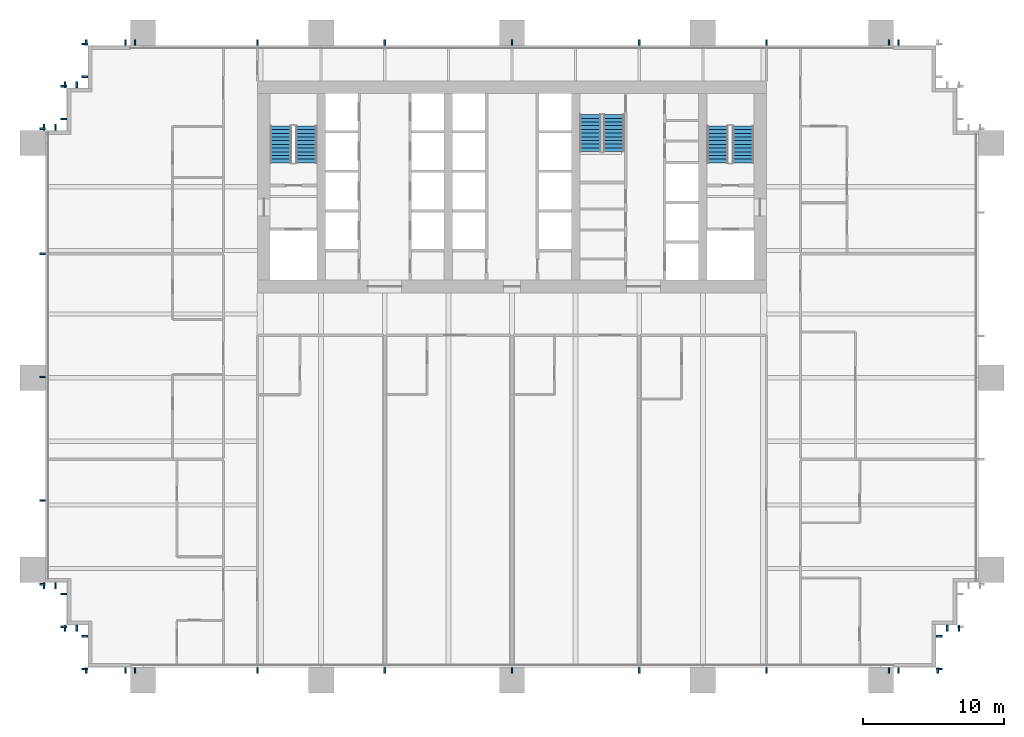
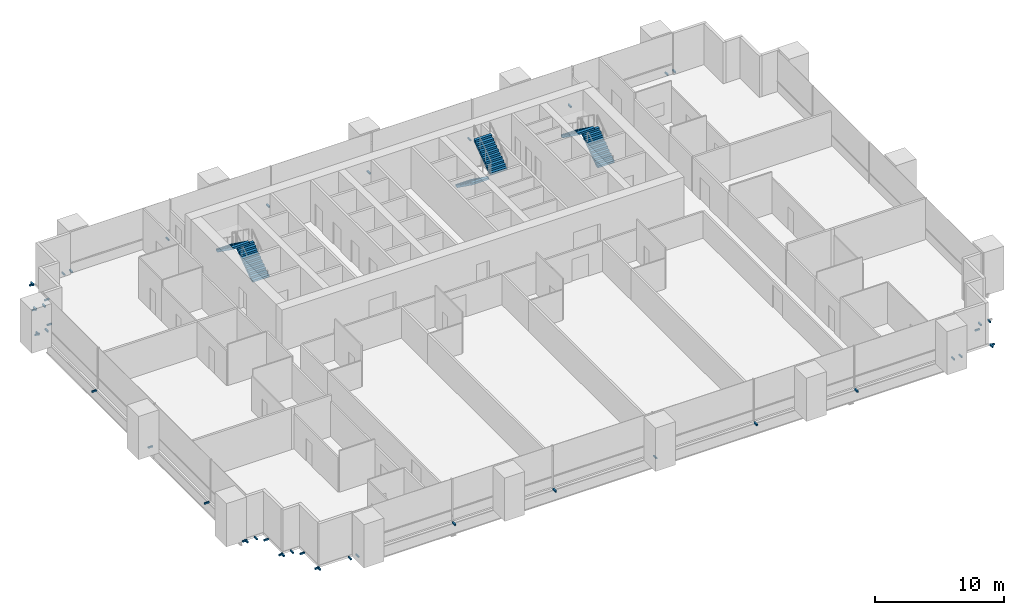
# One storey, part 15 of 17: 46 discrete accessories, 6 stair flights, 3 elements without a shape of their own.
"""IFC4 building model written with IfcOpenShell, lengths in metres."""

from ifc_helpers import new_model, si_unit, direction, frame, origin, origin_2d, place, context, subcontext, project, spatial, polyline, rectangle, outline, extrude, material, type_object, element, aggregate, save


model = new_model("IFC4")

# Units and contexts
model_context = context("Model", 3, precision=1e-05, world=origin(), true_north=direction((0.0, 1.0)))
body_context = subcontext(model_context, "Body", "Model", "MODEL_VIEW")
ifc_project = project(units=[si_unit("LENGTHUNIT", "METRE"), si_unit("AREAUNIT", "SQUARE_METRE"), si_unit("VOLUMEUNIT", "CUBIC_METRE"), si_unit("PLANEANGLEUNIT", "RADIAN"), si_unit("MASSUNIT", "GRAM", prefix="KILO")], contexts=[model_context])

# Site, building, storey
site_placement = place(None, origin())
site = spatial("IfcSite", under=ifc_project, at=site_placement, CompositionType="ELEMENT")
building_placement = place(site_placement, origin())
building = spatial("IfcBuilding", under=site, at=building_placement, Name="Rattan Terrace Tower", CompositionType="ELEMENT")
storey_placement = place(building_placement, frame((0.0, 0.0, 61.10009765625)))
storey = spatial("IfcBuildingStorey", under=building, at=storey_placement, Name="L13", CompositionType="ELEMENT", Elevation=61.10009765625)

# Stair, stair flights
ifc_material_1 = material(Name="Concrete C40/50", Category="concrete")
stair_type = type_object("IfcStairType", Name="Core exit stair 1500", PredefinedType="HALF_TURN_STAIR", material=ifc_material_1)
stair_1_placement = place(storey_placement, origin())
stair_1 = element("IfcStair", 1, at=stair_1_placement, inside=storey, type_object=stair_type, Name="L13 exit stair 1", PredefinedType="HALF_TURN_STAIR")
ifc_material_2 = material(Name="Concrete C40/50", Category="concrete")
stair_flight_type = type_object("IfcStairFlightType", Name="Core exit stair flight 1500", PredefinedType="STRAIGHT", material=ifc_material_2)
stair_flight_1_placement = place(storey_placement, frame((-14.550048828125, 1.699951171875, 0.0), z_axis=(0.0, 0.0, 1.0), x_axis=(0.0, 1.0, 0.0)))
stair_flight_1 = element("IfcStairFlight", 2, at=stair_flight_1_placement, type_object=stair_flight_type, Name="S1 flight 1", NumberOfRisers=11, NumberOfTreads=10, PredefinedType="STRAIGHT", RiserHeight=0.186363636, TreadLength=0.26, context=body_context, shape_type="SweptSolid", body=[
    extrude(outline(polyline([(0.0, 0.0), (0.0, 0.186279296875), (0.260009765625, 0.186279296875), (0.260009765625, 0.372802734375), (0.52001953125, 0.372802734375), (0.52001953125, 0.55908203125), (0.780029296875, 0.55908203125), (0.780029296875, 0.745361328125), (1.0400390625, 0.745361328125), (1.0400390625, 0.931884765625), (1.300048828125, 0.931884765625), (1.300048828125, 1.1181640625), (1.56005859375, 1.1181640625), (1.56005859375, 1.304443359375), (1.820068359375, 1.304443359375), (1.820068359375, 1.490966796875), (2.080078125, 1.490966796875), (2.080078125, 1.67724609375), (2.340087890625, 1.67724609375), (2.340087890625, 1.863525390625), (2.60009765625, 1.863525390625), (2.60009765625, 2.050048828125), (2.60009765625, 1.67919921875), (0.25732421875, 0.0), (0.0, 0.0)])), frame((0.0, 0.75, 0.0), z_axis=(0.0, -1.0, 0.0), x_axis=(1.0, 0.0, 0.0)), (0.0, 0.0, 1.0), 1.5),
])
stair_flight_2_placement = place(storey_placement, frame((-16.35009765625, 4.300048828125, 2.0498046875), z_axis=(0.0, 0.0, 1.0), x_axis=(0.0, -1.0, 0.0)))
stair_flight_2 = element("IfcStairFlight", 3, at=stair_flight_2_placement, type_object=stair_flight_type, Name="S1 flight 2", NumberOfRisers=11, NumberOfTreads=10, PredefinedType="STRAIGHT", RiserHeight=0.186363636, TreadLength=0.26, context=body_context, shape_type="SweptSolid", body=[
    extrude(outline(polyline([(0.0, 0.0), (0.0, 0.186279296875), (0.260009765625, 0.186279296875), (0.260009765625, 0.372802734375), (0.52001953125, 0.372802734375), (0.52001953125, 0.55908203125), (0.780029296875, 0.55908203125), (0.780029296875, 0.745361328125), (1.0400390625, 0.745361328125), (1.0400390625, 0.931884765625), (1.300048828125, 0.931884765625), (1.300048828125, 1.1181640625), (1.56005859375, 1.1181640625), (1.56005859375, 1.304443359375), (1.820068359375, 1.304443359375), (1.820068359375, 1.490966796875), (2.080078125, 1.490966796875), (2.080078125, 1.67724609375), (2.340087890625, 1.67724609375), (2.340087890625, 1.863525390625), (2.60009765625, 1.863525390625), (2.60009765625, 2.050048828125), (2.60009765625, 1.67919921875), (0.25732421875, 0.0), (0.0, 0.0)])), frame((0.0, 0.75, 0.0), z_axis=(0.0, -1.0, 0.0), x_axis=(1.0, 0.0, 0.0)), (0.0, 0.0, 1.0), 1.5),
])
aggregate(stair_1, [stair_flight_1, stair_flight_2])

stair_2_placement = place(storey_placement, origin())
stair_2 = element("IfcStair", 4, at=stair_2_placement, inside=storey, type_object=stair_type, Name="L13 exit stair 2", PredefinedType="HALF_TURN_STAIR")
stair_flight_3_placement = place(storey_placement, frame((16.35009765625, 1.699951171875, 0.0), z_axis=(0.0, 0.0, 1.0), x_axis=(0.0, 1.0, 0.0)))
stair_flight_3 = element("IfcStairFlight", 5, at=stair_flight_3_placement, type_object=stair_flight_type, Name="S2 flight 1", NumberOfRisers=11, NumberOfTreads=10, PredefinedType="STRAIGHT", RiserHeight=0.186363636, TreadLength=0.26, context=body_context, shape_type="SweptSolid", body=[
    extrude(outline(polyline([(0.0, 0.0), (0.0, 0.186279296875), (0.260009765625, 0.186279296875), (0.260009765625, 0.372802734375), (0.52001953125, 0.372802734375), (0.52001953125, 0.55908203125), (0.780029296875, 0.55908203125), (0.780029296875, 0.745361328125), (1.0400390625, 0.745361328125), (1.0400390625, 0.931884765625), (1.300048828125, 0.931884765625), (1.300048828125, 1.1181640625), (1.56005859375, 1.1181640625), (1.56005859375, 1.304443359375), (1.820068359375, 1.304443359375), (1.820068359375, 1.490966796875), (2.080078125, 1.490966796875), (2.080078125, 1.67724609375), (2.340087890625, 1.67724609375), (2.340087890625, 1.863525390625), (2.60009765625, 1.863525390625), (2.60009765625, 2.050048828125), (2.60009765625, 1.67919921875), (0.25732421875, 0.0), (0.0, 0.0)])), frame((0.0, 0.75, 0.0), z_axis=(0.0, -1.0, 0.0), x_axis=(1.0, 0.0, 0.0)), (0.0, 0.0, 1.0), 1.5),
])
stair_flight_4_placement = place(storey_placement, frame((14.550048828125, 4.300048828125, 2.0498046875), z_axis=(0.0, 0.0, 1.0), x_axis=(0.0, -1.0, 0.0)))
stair_flight_4 = element("IfcStairFlight", 6, at=stair_flight_4_placement, type_object=stair_flight_type, Name="S2 flight 2", NumberOfRisers=11, NumberOfTreads=10, PredefinedType="STRAIGHT", RiserHeight=0.186363636, TreadLength=0.26, context=body_context, shape_type="SweptSolid", body=[
    extrude(outline(polyline([(0.0, 0.0), (0.0, 0.186279296875), (0.260009765625, 0.186279296875), (0.260009765625, 0.372802734375), (0.52001953125, 0.372802734375), (0.52001953125, 0.55908203125), (0.780029296875, 0.55908203125), (0.780029296875, 0.745361328125), (1.0400390625, 0.745361328125), (1.0400390625, 0.931884765625), (1.300048828125, 0.931884765625), (1.300048828125, 1.1181640625), (1.56005859375, 1.1181640625), (1.56005859375, 1.304443359375), (1.820068359375, 1.304443359375), (1.820068359375, 1.490966796875), (2.080078125, 1.490966796875), (2.080078125, 1.67724609375), (2.340087890625, 1.67724609375), (2.340087890625, 1.863525390625), (2.60009765625, 1.863525390625), (2.60009765625, 2.050048828125), (2.60009765625, 1.67919921875), (0.25732421875, 0.0), (0.0, 0.0)])), frame((0.0, 0.75, 0.0), z_axis=(0.0, -1.0, 0.0), x_axis=(1.0, 0.0, 0.0)), (0.0, 0.0, 1.0), 1.5),
])
aggregate(stair_2, [stair_flight_3, stair_flight_4])

stair_3_placement = place(storey_placement, origin())
stair_3 = element("IfcStair", 7, at=stair_3_placement, inside=storey, type_object=stair_type, Name="L13 exit stair 3", PredefinedType="HALF_TURN_STAIR")
stair_flight_5_placement = place(storey_placement, frame((5.550048828125, 5.10009765625, 0.0), z_axis=(0.0, 0.0, 1.0), x_axis=(0.0, -1.0, 0.0)))
stair_flight_5 = element("IfcStairFlight", 8, at=stair_flight_5_placement, type_object=stair_flight_type, Name="S3 flight 1", NumberOfRisers=11, NumberOfTreads=10, PredefinedType="STRAIGHT", RiserHeight=0.186363636, TreadLength=0.26, context=body_context, shape_type="SweptSolid", body=[
    extrude(outline(polyline([(0.0, 0.0), (0.0, 0.186279296875), (0.260009765625, 0.186279296875), (0.260009765625, 0.372802734375), (0.52001953125, 0.372802734375), (0.52001953125, 0.55908203125), (0.780029296875, 0.55908203125), (0.780029296875, 0.745361328125), (1.0400390625, 0.745361328125), (1.0400390625, 0.931884765625), (1.300048828125, 0.931884765625), (1.300048828125, 1.1181640625), (1.56005859375, 1.1181640625), (1.56005859375, 1.304443359375), (1.820068359375, 1.304443359375), (1.820068359375, 1.490966796875), (2.080078125, 1.490966796875), (2.080078125, 1.67724609375), (2.340087890625, 1.67724609375), (2.340087890625, 1.863525390625), (2.60009765625, 1.863525390625), (2.60009765625, 2.050048828125), (2.60009765625, 1.67919921875), (0.25732421875, 0.0), (0.0, 0.0)])), frame((0.0, 0.75, 0.0), z_axis=(0.0, -1.0, 0.0), x_axis=(1.0, 0.0, 0.0)), (0.0, 0.0, 1.0), 1.5),
])
stair_flight_6_placement = place(storey_placement, frame((7.199951171875, 2.5, 2.0498046875), z_axis=(0.0, 0.0, 1.0), x_axis=(0.0, 1.0, 0.0)))
stair_flight_6 = element("IfcStairFlight", 9, at=stair_flight_6_placement, type_object=stair_flight_type, Name="S3 flight 2", NumberOfRisers=11, NumberOfTreads=10, PredefinedType="STRAIGHT", RiserHeight=0.186363636, TreadLength=0.26, context=body_context, shape_type="SweptSolid", body=[
    extrude(outline(polyline([(0.0, 0.0), (0.0, 0.186279296875), (0.260009765625, 0.186279296875), (0.260009765625, 0.372802734375), (0.52001953125, 0.372802734375), (0.52001953125, 0.55908203125), (0.780029296875, 0.55908203125), (0.780029296875, 0.745361328125), (1.0400390625, 0.745361328125), (1.0400390625, 0.931884765625), (1.300048828125, 0.931884765625), (1.300048828125, 1.1181640625), (1.56005859375, 1.1181640625), (1.56005859375, 1.304443359375), (1.820068359375, 1.304443359375), (1.820068359375, 1.490966796875), (2.080078125, 1.490966796875), (2.080078125, 1.67724609375), (2.340087890625, 1.67724609375), (2.340087890625, 1.863525390625), (2.60009765625, 1.863525390625), (2.60009765625, 2.050048828125), (2.60009765625, 1.67919921875), (0.25732421875, 0.0), (0.0, 0.0)])), frame((0.0, 0.75, 0.0), z_axis=(0.0, -1.0, 0.0), x_axis=(1.0, 0.0, 0.0)), (0.0, 0.0, 1.0), 1.5),
])
aggregate(stair_3, [stair_flight_5, stair_flight_6])

# Discrete accessories
for number, where, z_axis, x_axis, name in (
    (10, (27.340087890625, -34.2099609375, -0.169921875), (0.0, 0.0, 1.0), (1.0, 0.0, 0.0), "Panel bracket L13-1"),
    (11, (30.110107421875, -34.2099609375, -0.169921875), (0.0, 0.0, 1.0), (1.0, 0.0, 0.0), "Panel bracket L13-2"),
    (12, (30.2099609375, -34.110107421875, -0.169921875), (0.0, 0.0, 1.0), (0.0, 1.0, 0.0), "Panel bracket L13-3"),
    (13, (30.2099609375, -31.7900390625, -0.169921875), (0.0, 0.0, 1.0), (0.0, 1.0, 0.0), "Panel bracket L13-4"),
    (14, (30.7900390625, -31.2099609375, -0.169921875), (0.0, 0.0, 1.0), (1.0, 0.0, 0.0), "Panel bracket L13-5"),
    (15, (31.610107421875, -31.2099609375, -0.169921875), (0.0, 0.0, 1.0), (1.0, 0.0, 0.0), "Panel bracket L13-6"),
    (16, (27.340087890625, 10.2099609375, -0.169921875), (0.0, 0.0, 1.0), (-1.0, 0.0, 0.0), "Panel bracket L13-25"),
    (17, (26.659912109375, 10.2099609375, -0.169921875), (0.0, 0.0, 1.0), (-1.0, 0.0, 0.0), "Panel bracket L13-26"),
    (18, (18.0, 10.2099609375, -0.169921875), (0.0, 0.0, 1.0), (-1.0, 0.0, 0.0), "Panel bracket L13-27"),
    (19, (9.0, 10.2099609375, -0.169921875), (0.0, 0.0, 1.0), (-1.0, 0.0, 0.0), "Panel bracket L13-28"),
    (20, (0.0, 10.2099609375, -0.169921875), (0.0, 0.0, 1.0), (-1.0, 0.0, 0.0), "Panel bracket L13-29"),
    (21, (-9.0, 10.2099609375, -0.169921875), (0.0, 0.0, 1.0), (-1.0, 0.0, 0.0), "Panel bracket L13-30"),
    (22, (-18.0, 10.2099609375, -0.169921875), (0.0, 0.0, 1.0), (-1.0, 0.0, 0.0), "Panel bracket L13-31"),
    (23, (-26.659912109375, 10.2099609375, -0.169921875), (0.0, 0.0, 1.0), (-1.0, 0.0, 0.0), "Panel bracket L13-32"),
    (24, (-27.340087890625, 10.2099609375, -0.169921875), (0.0, 0.0, 1.0), (-1.0, 0.0, 0.0), "Panel bracket L13-33"),
    (25, (-30.110107421875, 10.2099609375, -0.169921875), (0.0, 0.0, 1.0), (-1.0, 0.0, 0.0), "Panel bracket L13-34"),
    (26, (-30.2099609375, 10.110107421875, -0.169921875), (0.0, 0.0, 1.0), (0.0, -1.0, 0.0), "Panel bracket L13-35"),
    (27, (-30.2099609375, 7.7900390625, -0.169921875), (0.0, 0.0, 1.0), (0.0, -1.0, 0.0), "Panel bracket L13-36"),
    (28, (-30.7900390625, 7.2099609375, -0.169921875), (0.0, 0.0, 1.0), (-1.0, 0.0, 0.0), "Panel bracket L13-37"),
    (29, (-31.610107421875, 7.2099609375, -0.169921875), (0.0, 0.0, 1.0), (-1.0, 0.0, 0.0), "Panel bracket L13-38"),
    (30, (-31.7099609375, 7.110107421875, -0.169921875), (0.0, 0.0, 1.0), (0.0, -1.0, 0.0), "Panel bracket L13-39"),
    (31, (-31.7099609375, 4.7900390625, -0.169921875), (0.0, 0.0, 1.0), (0.0, -1.0, 0.0), "Panel bracket L13-40"),
    (32, (-32.2900390625, 4.2099609375, -0.169921875), (0.0, 0.0, 1.0), (-1.0, 0.0, 0.0), "Panel bracket L13-41"),
    (33, (-33.110107421875, 4.2099609375, -0.169921875), (0.0, 0.0, 1.0), (-1.0, 0.0, 0.0), "Panel bracket L13-42"),
    (34, (-33.2099609375, 4.110107421875, -0.169921875), (0.0, 0.0, 1.0), (0.0, -1.0, 0.0), "Panel bracket L13-43"),
    (35, (-33.2099609375, -4.72705078125, -0.169921875), (0.0, 0.0, 1.0), (0.0, -1.0, 0.0), "Panel bracket L13-44"),
    (36, (-33.2099609375, -13.4541015625, -0.169921875), (0.0, 0.0, 1.0), (0.0, -1.0, 0.0), "Panel bracket L13-45"),
    (37, (-33.2099609375, -22.180908203125, -0.169921875), (0.0, 0.0, 1.0), (0.0, -1.0, 0.0), "Panel bracket L13-46"),
    (38, (-33.2099609375, -28.110107421875, -0.169921875), (0.0, 0.0, 1.0), (0.0, -1.0, 0.0), "Panel bracket L13-47"),
    (39, (-33.110107421875, -28.2099609375, -0.169921875), (0.0, 0.0, 1.0), (1.0, 0.0, 0.0), "Panel bracket L13-48"),
    (40, (-32.2900390625, -28.2099609375, -0.169921875), (0.0, 0.0, 1.0), (1.0, 0.0, 0.0), "Panel bracket L13-49"),
    (41, (-31.7099609375, -28.7900390625, -0.169921875), (0.0, 0.0, 1.0), (0.0, -1.0, 0.0), "Panel bracket L13-50"),
    (42, (-31.7099609375, -31.110107421875, -0.169921875), (0.0, 0.0, 1.0), (0.0, -1.0, 0.0), "Panel bracket L13-51"),
    (43, (-31.610107421875, -31.2099609375, -0.169921875), (0.0, 0.0, 1.0), (1.0, 0.0, 0.0), "Panel bracket L13-52"),
    (44, (-30.7900390625, -31.2099609375, -0.169921875), (0.0, 0.0, 1.0), (1.0, 0.0, 0.0), "Panel bracket L13-53"),
    (45, (-30.2099609375, -31.7900390625, -0.169921875), (0.0, 0.0, 1.0), (0.0, -1.0, 0.0), "Panel bracket L13-54"),
    (46, (-30.2099609375, -34.110107421875, -0.169921875), (0.0, 0.0, 1.0), (0.0, -1.0, 0.0), "Panel bracket L13-55"),
    (47, (-30.110107421875, -34.2099609375, -0.169921875), (0.0, 0.0, 1.0), (1.0, 0.0, 0.0), "Panel bracket L13-56"),
    (48, (-27.340087890625, -34.2099609375, -0.169921875), (0.0, 0.0, 1.0), (1.0, 0.0, 0.0), "Panel bracket L13-57"),
    (49, (-26.659912109375, -34.2099609375, -0.169921875), (0.0, 0.0, 1.0), (1.0, 0.0, 0.0), "Panel bracket L13-58"),
    (50, (-18.0, -34.2099609375, -0.169921875), (0.0, 0.0, 1.0), (1.0, 0.0, 0.0), "Panel bracket L13-59"),
    (51, (-9.0, -34.2099609375, -0.169921875), (0.0, 0.0, 1.0), (1.0, 0.0, 0.0), "Panel bracket L13-60"),
    (52, (0.0, -34.2099609375, -0.169921875), (0.0, 0.0, 1.0), (1.0, 0.0, 0.0), "Panel bracket L13-61"),
    (53, (9.0, -34.2099609375, -0.169921875), (0.0, 0.0, 1.0), (1.0, 0.0, 0.0), "Panel bracket L13-62"),
    (54, (18.0, -34.2099609375, -0.169921875), (0.0, 0.0, 1.0), (1.0, 0.0, 0.0), "Panel bracket L13-63"),
    (55, (26.659912109375, -34.2099609375, -0.169921875), (0.0, 0.0, 1.0), (1.0, 0.0, 0.0), "Panel bracket L13-64"),
):
    element("IfcDiscreteAccessory", number, at=place(storey_placement, frame(where, z_axis=z_axis, x_axis=x_axis)), inside=storey, Name=name, PredefinedType="BRACKET", context=body_context, shape_type="SweptSolid", body=[
        extrude(rectangle(XDim=0.1201171875, YDim=0.419921875, at=origin_2d()), origin(), (0.0, 0.0, 1.0), 0.139892578125),
    ])

save(model, "model.ifc")
